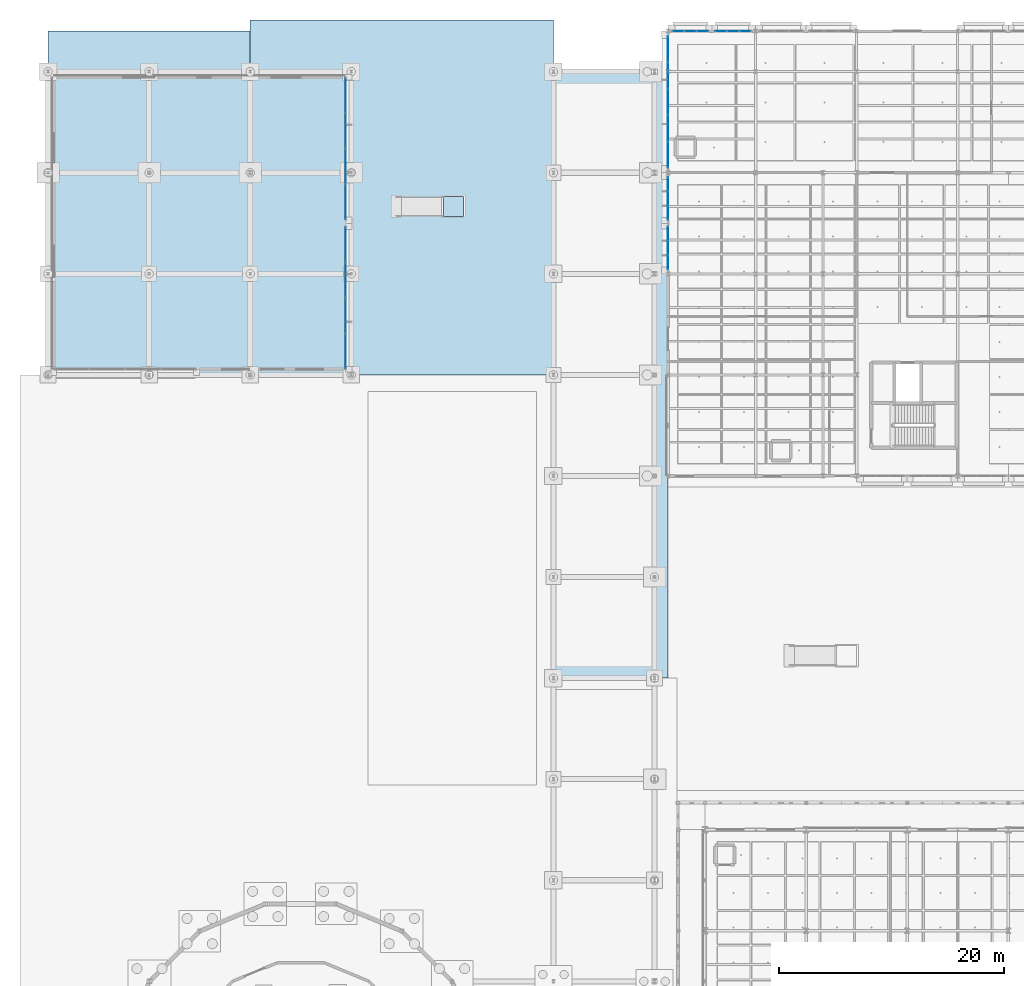
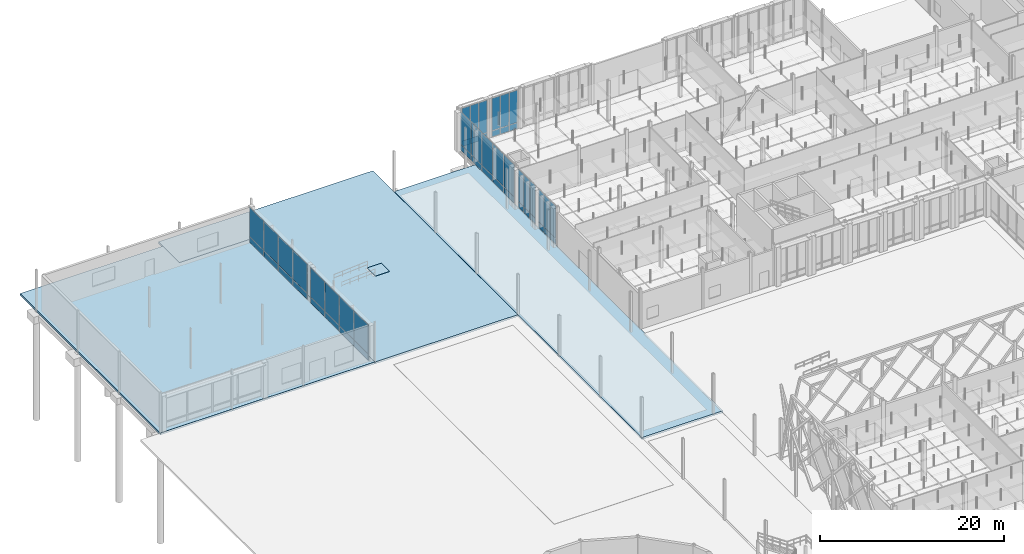
# One storey, part 71 of 180: 50 plates, 4 slabs, 8 elements without a shape of their own.
"""IFC4 building model written with IfcOpenShell, lengths in metres."""

from ifc_helpers import new_model, si_unit, direction, frame, origin, origin_2d, place, context, subcontext, project, spatial, polyline, rectangle, outline, extrude, material, layer, layer_set, type_object, element, aggregate, save


model = new_model("IFC4")

# Units and contexts
model_context = context("Model", 3, precision=1e-05, world=origin(), true_north=direction((0.0, 1.0)))
body_context = subcontext(model_context, "Body", "Model", "MODEL_VIEW")
ifc_project = project(units=[si_unit("LENGTHUNIT", "METRE"), si_unit("AREAUNIT", "SQUARE_METRE"), si_unit("VOLUMEUNIT", "CUBIC_METRE"), si_unit("PLANEANGLEUNIT", "RADIAN"), si_unit("MASSUNIT", "GRAM", prefix="KILO"), si_unit("THERMODYNAMICTEMPERATUREUNIT", "KELVIN"), si_unit("POWERUNIT", "WATT")], contexts=[model_context])

# Site, building, storey
site_placement = place(None, origin())
site = spatial("IfcSite", under=ifc_project, at=site_placement, CompositionType="ELEMENT")
building_placement = place(site_placement, origin())
building = spatial("IfcBuilding", under=site, at=building_placement, Name="Tallowbark Science Centre", CompositionType="ELEMENT")
storey_placement = place(building_placement, origin())
storey = spatial("IfcBuildingStorey", under=building, at=storey_placement, Name="L00", CompositionType="ELEMENT", Elevation=0.0)

# Curtain wall, plates
ifc_material_1 = material(Name="Unitised Thermally Broken Aluminium and Low-E Double Glazing", Category="aluminium")
curtain_wall_type = type_object("IfcCurtainWallType", Name="CW-SYS-FACADE", PredefinedType="NOTDEFINED", material=ifc_material_1)
curtain_wall_1_placement = place(storey_placement, origin())
curtain_wall_1 = element("IfcCurtainWall", 1, at=curtain_wall_1_placement, inside=storey, type_object=curtain_wall_type, Name="Unitised Curtain Wall LAB-W-90A CW-L00-028", PredefinedType="NOTDEFINED")
ifc_material_2 = material(Name="Double Glazed Argon Low-E Vision Glass", Category="glass")
ifc_layer_1 = layer(ifc_material_2, 0.028076171875)
ifc_layer_set_1 = layer_set([ifc_layer_1], Name="Double Glazed Argon Low-E Vision Glass")
plate_type_1 = type_object("IfcPlateType", Name="CWP-GLZ-28", PredefinedType="CURTAIN_PANEL", material=ifc_layer_set_1)
plate_1_placement = place(storey_placement, frame((55.199951171875, 97.983642578125, 0.054931640625), z_axis=(0.0, 0.0, 1.0), x_axis=(0.0, -1.0, 0.0)))
plate_1 = element("IfcPlate", 2, at=plate_1_placement, type_object=plate_type_1, Name="CW-01 panel 1.1", PredefinedType="CURTAIN_PANEL", context=body_context, shape_type="SweptSolid", body=[
    extrude(rectangle(XDim=1.202392578125, YDim=0.028076171875, at=origin_2d()), origin(), (0.0, 0.0, 1.0), 0.767578125),
])
plate_2_placement = place(storey_placement, frame((55.199951171875, 97.983642578125, 0.87744140625), z_axis=(0.0, 0.0, 1.0), x_axis=(0.0, -1.0, 0.0)))
plate_2 = element("IfcPlate", 3, at=plate_2_placement, type_object=plate_type_1, Name="CW-01 panel 1.2", PredefinedType="CURTAIN_PANEL", context=body_context, shape_type="SweptSolid", body=[
    extrude(rectangle(XDim=1.202392578125, YDim=0.028076171875, at=origin_2d()), origin(), (0.0, 0.0, 1.0), 4.28759765625),
])
plate_3_placement = place(storey_placement, frame((55.199951171875, 96.699951171875, 0.054931640625), z_axis=(0.0, 0.0, 1.0), x_axis=(0.0, -1.0, 0.0)))
plate_3 = element("IfcPlate", 4, at=plate_3_placement, type_object=plate_type_1, Name="CW-01 panel 2.1", PredefinedType="CURTAIN_PANEL", context=body_context, shape_type="SweptSolid", body=[
    extrude(rectangle(XDim=1.235107421875, YDim=0.028076171875, at=origin_2d()), origin(), (0.0, 0.0, 1.0), 0.767578125),
])
plate_4_placement = place(storey_placement, frame((55.199951171875, 96.699951171875, 0.87744140625), z_axis=(0.0, 0.0, 1.0), x_axis=(0.0, -1.0, 0.0)))
plate_4 = element("IfcPlate", 5, at=plate_4_placement, type_object=plate_type_1, Name="CW-01 panel 2.2", PredefinedType="CURTAIN_PANEL", context=body_context, shape_type="SweptSolid", body=[
    extrude(rectangle(XDim=1.235107421875, YDim=0.028076171875, at=origin_2d()), origin(), (0.0, 0.0, 1.0), 4.28759765625),
])
plate_5_placement = place(storey_placement, frame((55.199951171875, 95.416259765625, 0.054931640625), z_axis=(0.0, 0.0, 1.0), x_axis=(0.0, -1.0, 0.0)))
plate_5 = element("IfcPlate", 6, at=plate_5_placement, type_object=plate_type_1, Name="CW-01 panel 3.1", PredefinedType="CURTAIN_PANEL", context=body_context, shape_type="SweptSolid", body=[
    extrude(rectangle(XDim=1.202392578125, YDim=0.028076171875, at=origin_2d()), origin(), (0.0, 0.0, 1.0), 0.767578125),
])
plate_6_placement = place(storey_placement, frame((55.199951171875, 95.416259765625, 0.87744140625), z_axis=(0.0, 0.0, 1.0), x_axis=(0.0, -1.0, 0.0)))
plate_6 = element("IfcPlate", 7, at=plate_6_placement, type_object=plate_type_1, Name="CW-01 panel 3.2", PredefinedType="CURTAIN_PANEL", context=body_context, shape_type="SweptSolid", body=[
    extrude(rectangle(XDim=1.202392578125, YDim=0.028076171875, at=origin_2d()), origin(), (0.0, 0.0, 1.0), 4.28759765625),
])
aggregate(curtain_wall_1, [plate_1, plate_2, plate_3, plate_4, plate_5, plate_6])

curtain_wall_2_placement = place(storey_placement, origin())
curtain_wall_2 = element("IfcCurtainWall", 8, at=curtain_wall_2_placement, inside=storey, type_object=curtain_wall_type, Name="Unitised Curtain Wall LAB-W-90B CW-L00-029", PredefinedType="NOTDEFINED")
plate_7_placement = place(storey_placement, frame((55.199951171875, 93.583740234375, 0.054931640625), z_axis=(0.0, 0.0, 1.0), x_axis=(0.0, -1.0, 0.0)))
plate_7 = element("IfcPlate", 9, at=plate_7_placement, type_object=plate_type_1, Name="CW-01 panel 1.1", PredefinedType="CURTAIN_PANEL", context=body_context, shape_type="SweptSolid", body=[
    extrude(rectangle(XDim=1.202392578125, YDim=0.028076171875, at=origin_2d()), origin(), (0.0, 0.0, 1.0), 0.767578125),
])
plate_8_placement = place(storey_placement, frame((55.199951171875, 93.583740234375, 0.87744140625), z_axis=(0.0, 0.0, 1.0), x_axis=(0.0, -1.0, 0.0)))
plate_8 = element("IfcPlate", 10, at=plate_8_placement, type_object=plate_type_1, Name="CW-01 panel 1.2", PredefinedType="CURTAIN_PANEL", context=body_context, shape_type="SweptSolid", body=[
    extrude(rectangle(XDim=1.202392578125, YDim=0.028076171875, at=origin_2d()), origin(), (0.0, 0.0, 1.0), 4.28759765625),
])
plate_9_placement = place(storey_placement, frame((55.199951171875, 92.300048828125, 0.054931640625), z_axis=(0.0, 0.0, 1.0), x_axis=(0.0, -1.0, 0.0)))
plate_9 = element("IfcPlate", 11, at=plate_9_placement, type_object=plate_type_1, Name="CW-01 panel 2.1", PredefinedType="CURTAIN_PANEL", context=body_context, shape_type="SweptSolid", body=[
    extrude(rectangle(XDim=1.235107421875, YDim=0.028076171875, at=origin_2d()), origin(), (0.0, 0.0, 1.0), 0.767578125),
])
plate_10_placement = place(storey_placement, frame((55.199951171875, 92.300048828125, 0.87744140625), z_axis=(0.0, 0.0, 1.0), x_axis=(0.0, -1.0, 0.0)))
plate_10 = element("IfcPlate", 12, at=plate_10_placement, type_object=plate_type_1, Name="CW-01 panel 2.2", PredefinedType="CURTAIN_PANEL", context=body_context, shape_type="SweptSolid", body=[
    extrude(rectangle(XDim=1.235107421875, YDim=0.028076171875, at=origin_2d()), origin(), (0.0, 0.0, 1.0), 4.28759765625),
])
plate_11_placement = place(storey_placement, frame((55.199951171875, 91.016357421875, 0.054931640625), z_axis=(0.0, 0.0, 1.0), x_axis=(0.0, -1.0, 0.0)))
plate_11 = element("IfcPlate", 13, at=plate_11_placement, type_object=plate_type_1, Name="CW-01 panel 3.1", PredefinedType="CURTAIN_PANEL", context=body_context, shape_type="SweptSolid", body=[
    extrude(rectangle(XDim=1.202392578125, YDim=0.028076171875, at=origin_2d()), origin(), (0.0, 0.0, 1.0), 0.767578125),
])
plate_12_placement = place(storey_placement, frame((55.199951171875, 91.016357421875, 0.87744140625), z_axis=(0.0, 0.0, 1.0), x_axis=(0.0, -1.0, 0.0)))
plate_12 = element("IfcPlate", 14, at=plate_12_placement, type_object=plate_type_1, Name="CW-01 panel 3.2", PredefinedType="CURTAIN_PANEL", context=body_context, shape_type="SweptSolid", body=[
    extrude(rectangle(XDim=1.202392578125, YDim=0.028076171875, at=origin_2d()), origin(), (0.0, 0.0, 1.0), 4.28759765625),
])
aggregate(curtain_wall_2, [plate_7, plate_8, plate_9, plate_10, plate_11, plate_12])

curtain_wall_3_placement = place(storey_placement, origin())
curtain_wall_3 = element("IfcCurtainWall", 15, at=curtain_wall_3_placement, inside=storey, type_object=curtain_wall_type, Name="Unitised Curtain Wall CAF-N-55B CW-L00-031", PredefinedType="NOTDEFINED")
plate_13_placement = place(storey_placement, frame((58.28369140625, 111.60009765625, 0.054931640625), z_axis=(0.0, 0.0, 1.0), x_axis=(-1.0, 0.0, 0.0)))
plate_13 = element("IfcPlate", 16, at=plate_13_placement, type_object=plate_type_1, Name="CW-01 panel 1.1", PredefinedType="CURTAIN_PANEL", context=body_context, shape_type="SweptSolid", body=[
    extrude(rectangle(XDim=1.00244140625, YDim=0.028076171875, at=origin_2d()), origin(), (0.0, 0.0, 1.0), 0.767578125),
])
plate_14_placement = place(storey_placement, frame((58.28369140625, 111.60009765625, 0.87744140625), z_axis=(0.0, 0.0, 1.0), x_axis=(-1.0, 0.0, 0.0)))
plate_14 = element("IfcPlate", 17, at=plate_14_placement, type_object=plate_type_1, Name="CW-01 panel 1.2", PredefinedType="CURTAIN_PANEL", context=body_context, shape_type="SweptSolid", body=[
    extrude(rectangle(XDim=1.00244140625, YDim=0.028076171875, at=origin_2d()), origin(), (0.0, 0.0, 1.0), 4.28759765625),
])
plate_15_placement = place(storey_placement, frame((57.199951171875, 111.60009765625, 0.054931640625), z_axis=(0.0, 0.0, 1.0), x_axis=(-1.0, 0.0, 0.0)))
plate_15 = element("IfcPlate", 18, at=plate_15_placement, type_object=plate_type_1, Name="CW-01 panel 2.1", PredefinedType="CURTAIN_PANEL", context=body_context, shape_type="SweptSolid", body=[
    extrude(rectangle(XDim=1.034912109375, YDim=0.028076171875, at=origin_2d()), origin(), (0.0, 0.0, 1.0), 0.767578125),
])
plate_16_placement = place(storey_placement, frame((57.199951171875, 111.60009765625, 0.87744140625), z_axis=(0.0, 0.0, 1.0), x_axis=(-1.0, 0.0, 0.0)))
plate_16 = element("IfcPlate", 19, at=plate_16_placement, type_object=plate_type_1, Name="CW-01 panel 2.2", PredefinedType="CURTAIN_PANEL", context=body_context, shape_type="SweptSolid", body=[
    extrude(rectangle(XDim=1.034912109375, YDim=0.028076171875, at=origin_2d()), origin(), (0.0, 0.0, 1.0), 4.28759765625),
])
plate_17_placement = place(storey_placement, frame((56.1162109375, 111.60009765625, 0.054931640625), z_axis=(0.0, 0.0, 1.0), x_axis=(-1.0, 0.0, 0.0)))
plate_17 = element("IfcPlate", 20, at=plate_17_placement, type_object=plate_type_1, Name="CW-01 panel 3.1", PredefinedType="CURTAIN_PANEL", context=body_context, shape_type="SweptSolid", body=[
    extrude(rectangle(XDim=1.00244140625, YDim=0.028076171875, at=origin_2d()), origin(), (0.0, 0.0, 1.0), 0.767578125),
])
plate_18_placement = place(storey_placement, frame((56.1162109375, 111.60009765625, 0.87744140625), z_axis=(0.0, 0.0, 1.0), x_axis=(-1.0, 0.0, 0.0)))
plate_18 = element("IfcPlate", 21, at=plate_18_placement, type_object=plate_type_1, Name="CW-01 panel 3.2", PredefinedType="CURTAIN_PANEL", context=body_context, shape_type="SweptSolid", body=[
    extrude(rectangle(XDim=1.00244140625, YDim=0.028076171875, at=origin_2d()), origin(), (0.0, 0.0, 1.0), 4.28759765625),
])
aggregate(curtain_wall_3, [plate_13, plate_14, plate_15, plate_16, plate_17, plate_18])

curtain_wall_4_placement = place(storey_placement, origin())
curtain_wall_4 = element("IfcCurtainWall", 22, at=curtain_wall_4_placement, inside=storey, type_object=curtain_wall_type, Name="Unitised Curtain Wall CAF-W-L00 CW-L00-038", PredefinedType="NOTDEFINED")
plate_19_placement = place(storey_placement, frame((55.199951171875, 110.003662109375, 0.054931640625), z_axis=(0.0, 0.0, 1.0), x_axis=(0.0, -1.0, 0.0)))
plate_19 = element("IfcPlate", 23, at=plate_19_placement, type_object=plate_type_1, Name="CW-01 panel 1.1", PredefinedType="CURTAIN_PANEL", context=body_context, shape_type="SweptSolid", body=[
    extrude(rectangle(XDim=2.262451171875, YDim=0.028076171875, at=origin_2d()), origin(), (0.0, 0.0, 1.0), 0.767578125),
])
plate_20_placement = place(storey_placement, frame((55.199951171875, 110.003662109375, 0.87744140625), z_axis=(0.0, 0.0, 1.0), x_axis=(0.0, -1.0, 0.0)))
plate_20 = element("IfcPlate", 24, at=plate_20_placement, type_object=plate_type_1, Name="CW-01 panel 1.2", PredefinedType="CURTAIN_PANEL", context=body_context, shape_type="SweptSolid", body=[
    extrude(rectangle(XDim=2.262451171875, YDim=0.028076171875, at=origin_2d()), origin(), (0.0, 0.0, 1.0), 4.28759765625),
])
plate_21_placement = place(storey_placement, frame((55.199951171875, 107.659912109375, 0.054931640625), z_axis=(0.0, 0.0, 1.0), x_axis=(0.0, -1.0, 0.0)))
plate_21 = element("IfcPlate", 25, at=plate_21_placement, type_object=plate_type_1, Name="CW-01 panel 2.1", PredefinedType="CURTAIN_PANEL", context=body_context, shape_type="SweptSolid", body=[
    extrude(rectangle(XDim=2.294921875, YDim=0.028076171875, at=origin_2d()), origin(), (0.0, 0.0, 1.0), 0.767578125),
])
plate_22_placement = place(storey_placement, frame((55.199951171875, 107.659912109375, 0.87744140625), z_axis=(0.0, 0.0, 1.0), x_axis=(0.0, -1.0, 0.0)))
plate_22 = element("IfcPlate", 26, at=plate_22_placement, type_object=plate_type_1, Name="CW-01 panel 2.2", PredefinedType="CURTAIN_PANEL", context=body_context, shape_type="SweptSolid", body=[
    extrude(rectangle(XDim=2.294921875, YDim=0.028076171875, at=origin_2d()), origin(), (0.0, 0.0, 1.0), 4.28759765625),
])
plate_23_placement = place(storey_placement, frame((55.199951171875, 105.300048828125, 0.054931640625), z_axis=(0.0, 0.0, 1.0), x_axis=(0.0, -1.0, 0.0)))
plate_23 = element("IfcPlate", 27, at=plate_23_placement, type_object=plate_type_1, Name="CW-01 panel 3.1", PredefinedType="CURTAIN_PANEL", context=body_context, shape_type="SweptSolid", body=[
    extrude(rectangle(XDim=2.294921875, YDim=0.028076171875, at=origin_2d()), origin(), (0.0, 0.0, 1.0), 0.767578125),
])
plate_24_placement = place(storey_placement, frame((55.199951171875, 105.300048828125, 0.87744140625), z_axis=(0.0, 0.0, 1.0), x_axis=(0.0, -1.0, 0.0)))
plate_24 = element("IfcPlate", 28, at=plate_24_placement, type_object=plate_type_1, Name="CW-01 panel 3.2", PredefinedType="CURTAIN_PANEL", context=body_context, shape_type="SweptSolid", body=[
    extrude(rectangle(XDim=2.294921875, YDim=0.028076171875, at=origin_2d()), origin(), (0.0, 0.0, 1.0), 4.28759765625),
])
plate_25_placement = place(storey_placement, frame((55.199951171875, 102.93994140625, 0.054931640625), z_axis=(0.0, 0.0, 1.0), x_axis=(0.0, -1.0, 0.0)))
plate_25 = element("IfcPlate", 29, at=plate_25_placement, type_object=plate_type_1, Name="CW-01 panel 4.1", PredefinedType="CURTAIN_PANEL", context=body_context, shape_type="SweptSolid", body=[
    extrude(rectangle(XDim=2.294921875, YDim=0.028076171875, at=origin_2d()), origin(), (0.0, 0.0, 1.0), 0.767578125),
])
plate_26_placement = place(storey_placement, frame((55.199951171875, 102.93994140625, 0.87744140625), z_axis=(0.0, 0.0, 1.0), x_axis=(0.0, -1.0, 0.0)))
plate_26 = element("IfcPlate", 30, at=plate_26_placement, type_object=plate_type_1, Name="CW-01 panel 4.2", PredefinedType="CURTAIN_PANEL", context=body_context, shape_type="SweptSolid", body=[
    extrude(rectangle(XDim=2.294921875, YDim=0.028076171875, at=origin_2d()), origin(), (0.0, 0.0, 1.0), 4.28759765625),
])
plate_27_placement = place(storey_placement, frame((55.199951171875, 100.59619140625, 0.054931640625), z_axis=(0.0, 0.0, 1.0), x_axis=(0.0, -1.0, 0.0)))
plate_27 = element("IfcPlate", 31, at=plate_27_placement, type_object=plate_type_1, Name="CW-01 panel 5.1", PredefinedType="CURTAIN_PANEL", context=body_context, shape_type="SweptSolid", body=[
    extrude(rectangle(XDim=2.262451171875, YDim=0.028076171875, at=origin_2d()), origin(), (0.0, 0.0, 1.0), 0.767578125),
])
plate_28_placement = place(storey_placement, frame((55.199951171875, 100.59619140625, 0.87744140625), z_axis=(0.0, 0.0, 1.0), x_axis=(0.0, -1.0, 0.0)))
plate_28 = element("IfcPlate", 32, at=plate_28_placement, type_object=plate_type_1, Name="CW-01 panel 5.2", PredefinedType="CURTAIN_PANEL", context=body_context, shape_type="SweptSolid", body=[
    extrude(rectangle(XDim=2.262451171875, YDim=0.028076171875, at=origin_2d()), origin(), (0.0, 0.0, 1.0), 4.28759765625),
])
aggregate(curtain_wall_4, [plate_19, plate_20, plate_21, plate_22, plate_23, plate_24, plate_25, plate_26, plate_27, plate_28])

curtain_wall_5_placement = place(storey_placement, origin())
curtain_wall_5 = element("IfcCurtainWall", 33, at=curtain_wall_5_placement, inside=storey, type_object=curtain_wall_type, Name="Unitised Curtain Wall PRK-E-2 CW-L00-202", PredefinedType="NOTDEFINED")
plate_29_placement = place(storey_placement, frame((26.5, 96.40380859375, 0.054931640625), z_axis=(0.0, 0.0, 1.0), x_axis=(0.0, 1.0, 0.0)))
plate_29 = element("IfcPlate", 34, at=plate_29_placement, type_object=plate_type_1, Name="CW-01 panel 1.1", PredefinedType="CURTAIN_PANEL", context=body_context, shape_type="SweptSolid", body=[
    extrude(rectangle(XDim=3.077392578125, YDim=0.028076171875, at=origin_2d()), origin(), (0.0, 0.0, 1.0), 0.767578125),
])
plate_30_placement = place(storey_placement, frame((26.5, 96.40380859375, 0.87744140625), z_axis=(0.0, 0.0, 1.0), x_axis=(0.0, 1.0, 0.0)))
plate_30 = element("IfcPlate", 35, at=plate_30_placement, type_object=plate_type_1, Name="CW-01 panel 1.2", PredefinedType="CURTAIN_PANEL", context=body_context, shape_type="SweptSolid", body=[
    extrude(rectangle(XDim=3.077392578125, YDim=0.028076171875, at=origin_2d()), origin(), (0.0, 0.0, 1.0), 3.867431640625),
])
plate_31_placement = place(storey_placement, frame((26.5, 99.5625, 0.054931640625), z_axis=(0.0, 0.0, 1.0), x_axis=(0.0, 1.0, 0.0)))
plate_31 = element("IfcPlate", 36, at=plate_31_placement, type_object=plate_type_1, Name="CW-01 panel 2.1", PredefinedType="CURTAIN_PANEL", context=body_context, shape_type="SweptSolid", body=[
    extrude(rectangle(XDim=3.110107421875, YDim=0.028076171875, at=origin_2d()), origin(), (0.0, 0.0, 1.0), 0.767578125),
])
plate_32_placement = place(storey_placement, frame((26.5, 99.5625, 0.87744140625), z_axis=(0.0, 0.0, 1.0), x_axis=(0.0, 1.0, 0.0)))
plate_32 = element("IfcPlate", 37, at=plate_32_placement, type_object=plate_type_1, Name="CW-01 panel 2.2", PredefinedType="CURTAIN_PANEL", context=body_context, shape_type="SweptSolid", body=[
    extrude(rectangle(XDim=3.110107421875, YDim=0.028076171875, at=origin_2d()), origin(), (0.0, 0.0, 1.0), 3.867431640625),
])
plate_33_placement = place(storey_placement, frame((26.5, 102.737548828125, 0.054931640625), z_axis=(0.0, 0.0, 1.0), x_axis=(0.0, 1.0, 0.0)))
plate_33 = element("IfcPlate", 38, at=plate_33_placement, type_object=plate_type_1, Name="CW-01 panel 3.1", PredefinedType="CURTAIN_PANEL", context=body_context, shape_type="SweptSolid", body=[
    extrude(rectangle(XDim=3.110107421875, YDim=0.028076171875, at=origin_2d()), origin(), (0.0, 0.0, 1.0), 0.767578125),
])
plate_34_placement = place(storey_placement, frame((26.5, 102.737548828125, 0.87744140625), z_axis=(0.0, 0.0, 1.0), x_axis=(0.0, 1.0, 0.0)))
plate_34 = element("IfcPlate", 39, at=plate_34_placement, type_object=plate_type_1, Name="CW-01 panel 3.2", PredefinedType="CURTAIN_PANEL", context=body_context, shape_type="SweptSolid", body=[
    extrude(rectangle(XDim=3.110107421875, YDim=0.028076171875, at=origin_2d()), origin(), (0.0, 0.0, 1.0), 3.867431640625),
])
plate_35_placement = place(storey_placement, frame((26.5, 105.896240234375, 0.054931640625), z_axis=(0.0, 0.0, 1.0), x_axis=(0.0, 1.0, 0.0)))
plate_35 = element("IfcPlate", 40, at=plate_35_placement, type_object=plate_type_1, Name="CW-01 panel 4.1", PredefinedType="CURTAIN_PANEL", context=body_context, shape_type="SweptSolid", body=[
    extrude(rectangle(XDim=3.077392578125, YDim=0.028076171875, at=origin_2d()), origin(), (0.0, 0.0, 1.0), 0.767578125),
])
plate_36_placement = place(storey_placement, frame((26.5, 105.896240234375, 0.87744140625), z_axis=(0.0, 0.0, 1.0), x_axis=(0.0, 1.0, 0.0)))
plate_36 = element("IfcPlate", 41, at=plate_36_placement, type_object=plate_type_1, Name="CW-01 panel 4.2", PredefinedType="CURTAIN_PANEL", context=body_context, shape_type="SweptSolid", body=[
    extrude(rectangle(XDim=3.077392578125, YDim=0.028076171875, at=origin_2d()), origin(), (0.0, 0.0, 1.0), 3.867431640625),
])
aggregate(curtain_wall_5, [plate_29, plate_30, plate_31, plate_32, plate_33, plate_34, plate_35, plate_36])

curtain_wall_6_placement = place(storey_placement, origin())
curtain_wall_6 = element("IfcCurtainWall", 42, at=curtain_wall_6_placement, inside=storey, type_object=curtain_wall_type, Name="Unitised Curtain Wall CAF-N-55A CW-L00-030", PredefinedType="NOTDEFINED")
ifc_material_3 = material(Name="Ceramic-Fritted Insulated Glass Spandrel Panel", Category="glass")
ifc_layer_2 = layer(ifc_material_3, 0.031982421875)
ifc_layer_set_2 = layer_set([ifc_layer_2], Name="Ceramic-Fritted Insulated Glass Spandrel Panel")
plate_type_2 = type_object("IfcPlateType", Name="CWP-SPN-32", PredefinedType="CURTAIN_PANEL", material=ifc_layer_set_2)
plate_37_placement = place(storey_placement, frame((62.083740234375, 111.60009765625, 0.054931640625), z_axis=(0.0, 0.0, 1.0), x_axis=(-1.0, 0.0, 0.0)))
plate_37 = element("IfcPlate", 43, at=plate_37_placement, type_object=plate_type_2, Name="CW-01 panel 1.1", PredefinedType="CURTAIN_PANEL", context=body_context, shape_type="SweptSolid", body=[
    extrude(rectangle(XDim=1.00244140625, YDim=0.031982421875, at=origin_2d()), origin(), (0.0, 0.0, 1.0), 0.767578125),
])
plate_38_placement = place(storey_placement, frame((62.083740234375, 111.60009765625, 0.87744140625), z_axis=(0.0, 0.0, 1.0), x_axis=(-1.0, 0.0, 0.0)))
plate_38 = element("IfcPlate", 44, at=plate_38_placement, type_object=plate_type_2, Name="CW-01 panel 1.2", PredefinedType="CURTAIN_PANEL", context=body_context, shape_type="SweptSolid", body=[
    extrude(rectangle(XDim=1.00244140625, YDim=0.031982421875, at=origin_2d()), origin(), (0.0, 0.0, 1.0), 4.28759765625),
])
plate_39_placement = place(storey_placement, frame((61.0, 111.60009765625, 0.054931640625), z_axis=(0.0, 0.0, 1.0), x_axis=(-1.0, 0.0, 0.0)))
plate_39 = element("IfcPlate", 45, at=plate_39_placement, type_object=plate_type_2, Name="CW-01 panel 2.1", PredefinedType="CURTAIN_PANEL", context=body_context, shape_type="SweptSolid", body=[
    extrude(rectangle(XDim=1.034912109375, YDim=0.031982421875, at=origin_2d()), origin(), (0.0, 0.0, 1.0), 0.767578125),
])
plate_40_placement = place(storey_placement, frame((61.0, 111.60009765625, 0.87744140625), z_axis=(0.0, 0.0, 1.0), x_axis=(-1.0, 0.0, 0.0)))
plate_40 = element("IfcPlate", 46, at=plate_40_placement, type_object=plate_type_2, Name="CW-01 panel 2.2", PredefinedType="CURTAIN_PANEL", context=body_context, shape_type="SweptSolid", body=[
    extrude(rectangle(XDim=1.034912109375, YDim=0.031982421875, at=origin_2d()), origin(), (0.0, 0.0, 1.0), 4.28759765625),
])
plate_41_placement = place(storey_placement, frame((59.916259765625, 111.60009765625, 0.054931640625), z_axis=(0.0, 0.0, 1.0), x_axis=(-1.0, 0.0, 0.0)))
plate_41 = element("IfcPlate", 47, at=plate_41_placement, type_object=plate_type_2, Name="CW-01 panel 3.1", PredefinedType="CURTAIN_PANEL", context=body_context, shape_type="SweptSolid", body=[
    extrude(rectangle(XDim=1.00244140625, YDim=0.031982421875, at=origin_2d()), origin(), (0.0, 0.0, 1.0), 0.767578125),
])
plate_42_placement = place(storey_placement, frame((59.916259765625, 111.60009765625, 0.87744140625), z_axis=(0.0, 0.0, 1.0), x_axis=(-1.0, 0.0, 0.0)))
plate_42 = element("IfcPlate", 48, at=plate_42_placement, type_object=plate_type_2, Name="CW-01 panel 3.2", PredefinedType="CURTAIN_PANEL", context=body_context, shape_type="SweptSolid", body=[
    extrude(rectangle(XDim=1.00244140625, YDim=0.031982421875, at=origin_2d()), origin(), (0.0, 0.0, 1.0), 4.28759765625),
])
aggregate(curtain_wall_6, [plate_37, plate_38, plate_39, plate_40, plate_41, plate_42])

curtain_wall_7_placement = place(storey_placement, origin())
curtain_wall_7 = element("IfcCurtainWall", 49, at=curtain_wall_7_placement, inside=storey, type_object=curtain_wall_type, Name="Unitised Curtain Wall PRK-E-1 CW-L00-201", PredefinedType="NOTDEFINED")
plate_43_placement = place(storey_placement, frame((26.5, 83.103759765625, 0.054931640625), z_axis=(0.0, 0.0, 1.0), x_axis=(0.0, 1.0, 0.0)))
plate_43 = element("IfcPlate", 50, at=plate_43_placement, type_object=plate_type_2, Name="CW-01 panel 1.1", PredefinedType="CURTAIN_PANEL", context=body_context, shape_type="SweptSolid", body=[
    extrude(rectangle(XDim=3.077392578125, YDim=0.031982421875, at=origin_2d()), origin(), (0.0, 0.0, 1.0), 0.767578125),
])
plate_44_placement = place(storey_placement, frame((26.5, 83.103759765625, 0.87744140625), z_axis=(0.0, 0.0, 1.0), x_axis=(0.0, 1.0, 0.0)))
plate_44 = element("IfcPlate", 51, at=plate_44_placement, type_object=plate_type_2, Name="CW-01 panel 1.2", PredefinedType="CURTAIN_PANEL", context=body_context, shape_type="SweptSolid", body=[
    extrude(rectangle(XDim=3.077392578125, YDim=0.031982421875, at=origin_2d()), origin(), (0.0, 0.0, 1.0), 3.867431640625),
])
plate_45_placement = place(storey_placement, frame((26.5, 86.262451171875, 0.054931640625), z_axis=(0.0, 0.0, 1.0), x_axis=(0.0, 1.0, 0.0)))
plate_45 = element("IfcPlate", 52, at=plate_45_placement, type_object=plate_type_2, Name="CW-01 panel 2.1", PredefinedType="CURTAIN_PANEL", context=body_context, shape_type="SweptSolid", body=[
    extrude(rectangle(XDim=3.110107421875, YDim=0.031982421875, at=origin_2d()), origin(), (0.0, 0.0, 1.0), 0.767578125),
])
plate_46_placement = place(storey_placement, frame((26.5, 86.262451171875, 0.87744140625), z_axis=(0.0, 0.0, 1.0), x_axis=(0.0, 1.0, 0.0)))
plate_46 = element("IfcPlate", 53, at=plate_46_placement, type_object=plate_type_2, Name="CW-01 panel 2.2", PredefinedType="CURTAIN_PANEL", context=body_context, shape_type="SweptSolid", body=[
    extrude(rectangle(XDim=3.110107421875, YDim=0.031982421875, at=origin_2d()), origin(), (0.0, 0.0, 1.0), 3.867431640625),
])
plate_47_placement = place(storey_placement, frame((26.5, 89.4375, 0.054931640625), z_axis=(0.0, 0.0, 1.0), x_axis=(0.0, 1.0, 0.0)))
plate_47 = element("IfcPlate", 54, at=plate_47_placement, type_object=plate_type_2, Name="CW-01 panel 3.1", PredefinedType="CURTAIN_PANEL", context=body_context, shape_type="SweptSolid", body=[
    extrude(rectangle(XDim=3.110107421875, YDim=0.031982421875, at=origin_2d()), origin(), (0.0, 0.0, 1.0), 0.767578125),
])
plate_48_placement = place(storey_placement, frame((26.5, 89.4375, 0.87744140625), z_axis=(0.0, 0.0, 1.0), x_axis=(0.0, 1.0, 0.0)))
plate_48 = element("IfcPlate", 55, at=plate_48_placement, type_object=plate_type_2, Name="CW-01 panel 3.2", PredefinedType="CURTAIN_PANEL", context=body_context, shape_type="SweptSolid", body=[
    extrude(rectangle(XDim=3.110107421875, YDim=0.031982421875, at=origin_2d()), origin(), (0.0, 0.0, 1.0), 3.867431640625),
])
plate_49_placement = place(storey_placement, frame((26.5, 92.59619140625, 0.054931640625), z_axis=(0.0, 0.0, 1.0), x_axis=(0.0, 1.0, 0.0)))
plate_49 = element("IfcPlate", 56, at=plate_49_placement, type_object=plate_type_2, Name="CW-01 panel 4.1", PredefinedType="CURTAIN_PANEL", context=body_context, shape_type="SweptSolid", body=[
    extrude(rectangle(XDim=3.077392578125, YDim=0.031982421875, at=origin_2d()), origin(), (0.0, 0.0, 1.0), 0.767578125),
])
plate_50_placement = place(storey_placement, frame((26.5, 92.59619140625, 0.87744140625), z_axis=(0.0, 0.0, 1.0), x_axis=(0.0, 1.0, 0.0)))
plate_50 = element("IfcPlate", 57, at=plate_50_placement, type_object=plate_type_2, Name="CW-01 panel 4.2", PredefinedType="CURTAIN_PANEL", context=body_context, shape_type="SweptSolid", body=[
    extrude(rectangle(XDim=3.077392578125, YDim=0.031982421875, at=origin_2d()), origin(), (0.0, 0.0, 1.0), 3.867431640625),
])
aggregate(curtain_wall_7, [plate_43, plate_44, plate_45, plate_46, plate_47, plate_48, plate_49, plate_50])

# Slabs
ifc_material_4 = material(Name="Concrete Grade N40 (40 MPa)", Category="concrete")
ifc_layer_3 = layer(ifc_material_4, 0.260009765625)
ifc_layer_set_3 = layer_set([ifc_layer_3], Name="Concrete Grade N40 (40 MPa)")
slab_type_1 = type_object("IfcSlabType", Name="SLB-BASE-260", PredefinedType="BASESLAB", material=ifc_layer_set_3)
slab_1_placement = place(storey_placement, frame((0.0, 0.0, -0.260009765625)))
element("IfcSlab", 58, at=slab_1_placement, inside=storey, type_object=slab_type_1, Name="Covered Public Passage North Slab SLB-PAS-N-L00", PredefinedType="BASESLAB", context=body_context, shape_type="SweptSolid", body=[
    extrude(outline(polyline([(45.0, 54.0), (55.199951171875, 54.0), (55.199951171875, 108.0), (45.0, 108.0), (45.0, 54.0)])), origin(), (0.0, 0.0, 1.0), 0.260009765625),
])
slab_2_placement = place(storey_placement, frame((0.0, 0.0, -0.260009765625)))
element("IfcSlab", 59, at=slab_2_placement, inside=storey, type_object=slab_type_1, Name="Science Park Discovery Pavilion Slab SLB-PRK-PAV-L00", PredefinedType="BASESLAB", context=body_context, shape_type="SweptSolid", body=[
    extrude(outline(polyline([(0.0, 81.0), (27.0, 81.0), (27.0, 108.0), (18.0, 108.0), (18.0, 111.60009765625), (0.0, 111.60009765625), (0.0, 81.0)])), origin(), (0.0, 0.0, 1.0), 0.260009765625),
])
slab_3_placement = place(storey_placement, frame((0.0, 0.0, -0.280029296875)))
element("IfcSlab", 60, at=slab_3_placement, inside=storey, type_object=slab_type_1, Name="Civic Sandstone Plaza Slab SLB-PLZ-PRK-N", PredefinedType="BASESLAB", context=body_context, shape_type="SweptSolid", body=[
    extrude(outline(polyline([(27.0, 108.0), (18.0, 108.0), (18.0, 112.60009765625), (45.0, 112.60009765625), (45.0, 81.0), (27.0, 81.0), (27.0, 108.0)]), holes=[polyline([(37.010009765625, 96.909912109375), (35.18994140625, 96.909912109375), (35.18994140625, 95.090087890625), (37.010009765625, 95.090087890625), (37.010009765625, 96.909912109375)])]), origin(), (0.0, 0.0, 1.0), 0.260009765625),
])

# Ramp, slab
ramp_type = type_object("IfcRampType", Name="RMP-ACC-14", PredefinedType="STRAIGHT_RUN_RAMP", material=ifc_material_4)
ramp_placement = place(storey_placement, origin())
ramp = element("IfcRamp", 61, at=ramp_placement, inside=storey, type_object=ramp_type, Name="Accessible 1:14 Ramp RMP-03", PredefinedType="STRAIGHT_RUN_RAMP")
ifc_layer_4 = layer(ifc_material_4, 0.159912109375)
ifc_layer_set_4 = layer_set([ifc_layer_4], Name="Concrete Grade N40 (40 MPa)")
slab_type_2 = type_object("IfcSlabType", Name="SLB-LND-160", PredefinedType="LANDING", material=ifc_layer_set_4)
slab_4_placement = place(storey_placement, frame((0.0, 0.0, -0.159912109375)))
slab_4 = element("IfcSlab", 62, at=slab_4_placement, type_object=slab_type_2, Name="Ramp Arrival Landing RMP-03", PredefinedType="LANDING", context=body_context, shape_type="SweptSolid", body=[
    extrude(outline(polyline([(35.199951171875, 95.10009765625), (37.0, 95.10009765625), (37.0, 96.89990234375), (35.199951171875, 96.89990234375), (35.199951171875, 95.10009765625)])), origin(), (0.0, 0.0, 1.0), 0.159912109375),
])
aggregate(ramp, [slab_4])

save(model, "model.ifc")
